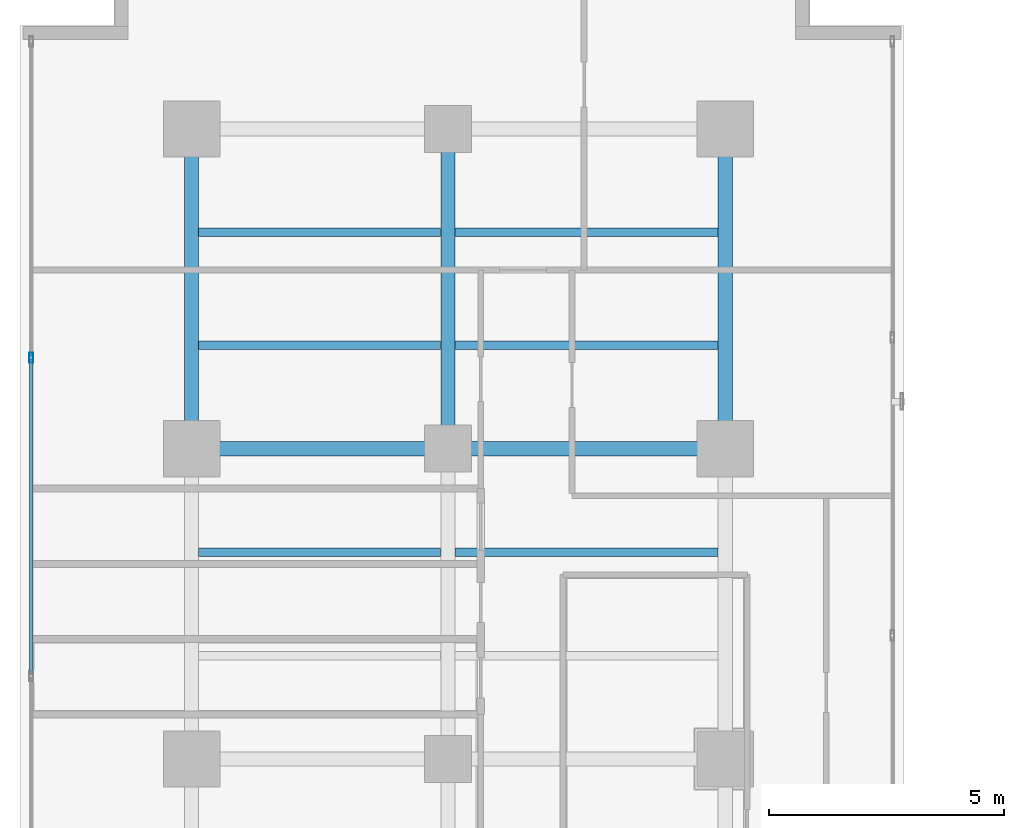
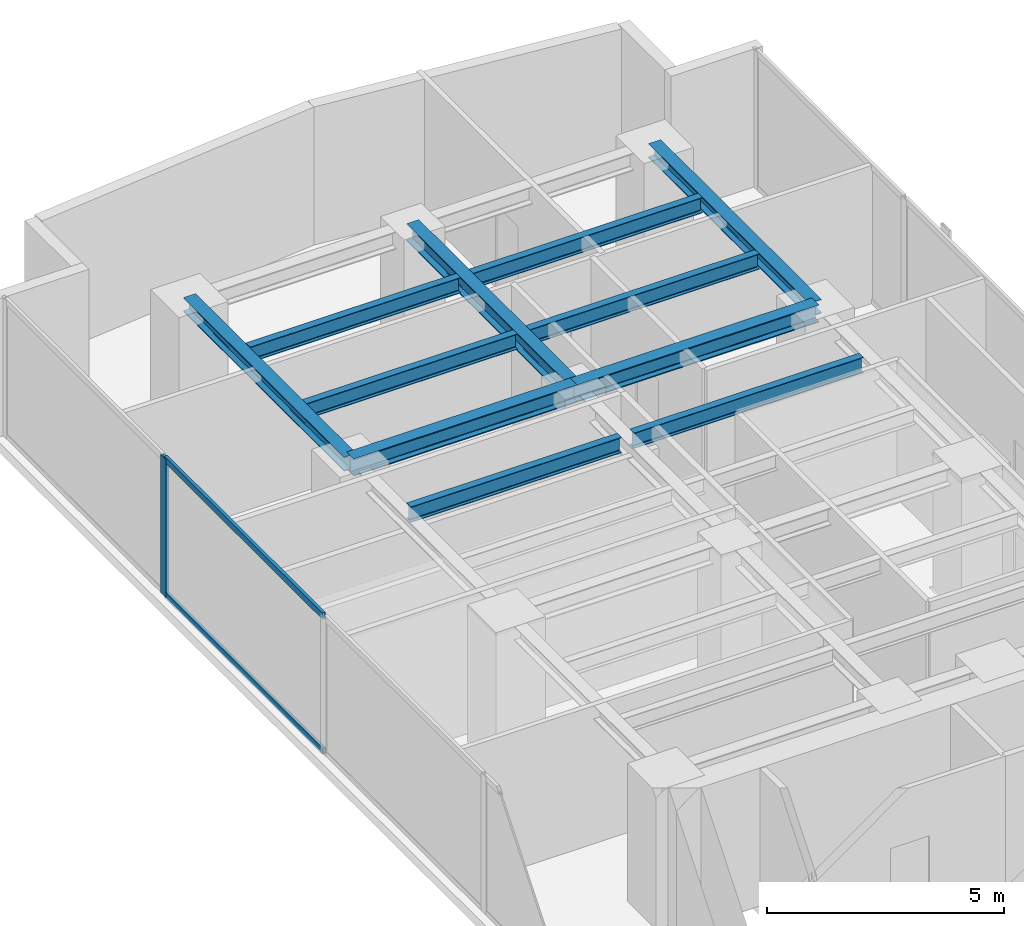
# One storey, part 15 of 24: 11 beams, 3 members, 1 element without a shape of its own.
"""IFC4 building model written with IfcOpenShell, lengths in metres."""

from ifc_helpers import new_model, si_unit, direction, frame, origin, origin_with_axes, origin_2d, place, context, subcontext, project, spatial, hollow_rectangle, i_section, extrude, source, transform, mapped, material, layer, layer_set, material_profile, profile_set, type_object, element, aggregate, save


model = new_model("IFC4")

# Units and contexts
model_context = context("Model", 3, precision=1e-05, world=origin(), true_north=direction((0.0, 1.0)))
body_context = subcontext(model_context, "Body", "Model", "MODEL_VIEW")
ifc_project = project(units=[si_unit("LENGTHUNIT", "METRE"), si_unit("AREAUNIT", "SQUARE_METRE"), si_unit("VOLUMEUNIT", "CUBIC_METRE"), si_unit("PLANEANGLEUNIT", "RADIAN"), si_unit("MASSUNIT", "GRAM", prefix="KILO")], contexts=[model_context])

# Site, building, storey
site_placement = place(None, origin())
site = spatial("IfcSite", under=ifc_project, at=site_placement, CompositionType="ELEMENT")
building_placement = place(site_placement, origin())
building = spatial("IfcBuilding", under=site, at=building_placement, Name="Kolvaren Waterfront Exchange", CompositionType="ELEMENT")
storey_placement = place(building_placement, frame((0.0, 0.0, 153.800048828125)))
storey = spatial("IfcBuildingStorey", under=building, at=storey_placement, Name="L39", CompositionType="ELEMENT", Elevation=153.800048828125)

# Beams
ifc_material_1 = material(Name="Steel S355", Category="steel")
ifc_material_profile_1 = material_profile(ifc_material_1, i_section(OverallWidth=0.300048828125, OverallDepth=0.360107421875, WebThickness=0.012451171875, FlangeThickness=0.0224609375, FilletRadius=0.027099609375, at=origin_2d()), Name="HEB360")
ifc_profile_set_1 = profile_set([ifc_material_profile_1], Name="Steel S355")
beam_type_1 = type_object("IfcBeamType", Name="STR-BM-HEB360", PredefinedType="SPANDREL", material=ifc_profile_set_1)
for number, where, z_axis, x_axis, name in (
    (1, (7.449951171875, 37.800048828125, 3.3798828125), (0.0, 1.0, 0.0), (-1.0, 0.0, 0.0), "L39 north-arm edge beam 3"),
    (2, (18.800048828125, 37.800048828125, 3.3798828125), (0.0, 1.0, 0.0), (-1.0, 0.0, 0.0), "L39 north-arm edge beam 3"),
):
    element("IfcBeam", number, at=place(storey_placement, frame(where, z_axis=z_axis, x_axis=x_axis)), inside=storey, type_object=beam_type_1, Name=name, PredefinedType="SPANDREL", context=body_context, shape_type="SweptSolid", body=[
        extrude(i_section(OverallWidth=0.300048828125, OverallDepth=0.360107421875, WebThickness=0.012451171875, FlangeThickness=0.0224609375, FilletRadius=0.027099609375, at=origin_2d()), origin(), (0.0, 0.0, 1.0), 6.800048828125),
    ])
ifc_material_profile_2 = material_profile(ifc_material_1, i_section(OverallWidth=0.300048828125, OverallDepth=0.449951171875, WebThickness=0.013916015625, FlangeThickness=0.02587890625, FilletRadius=0.027099609375, at=origin_2d()), Name="HEB450")
ifc_profile_set_2 = profile_set([ifc_material_profile_2], Name="Steel S355")
beam_type_2 = type_object("IfcBeamType", Name="STR-BM-HEB450", PredefinedType="BEAM", material=ifc_profile_set_2)
beam_1_placement = place(storey_placement, frame((7.449951171875, 37.800048828125, 3.3349609375), z_axis=(1.0, 0.0, 0.0), x_axis=(0.0, 1.0, 0.0)))
element("IfcBeam", 3, at=beam_1_placement, inside=storey, type_object=beam_type_2, Name="L39 north-arm girder 3A", PredefinedType="BEAM", context=body_context, shape_type="SweptSolid", body=[
    extrude(i_section(OverallWidth=0.300048828125, OverallDepth=0.449951171875, WebThickness=0.013916015625, FlangeThickness=0.02587890625, FilletRadius=0.027099609375, at=origin_2d()), origin(), (0.0, 0.0, 1.0), 5.449951171875),
])
beam_2_placement = place(storey_placement, frame((12.89990234375, 37.800048828125, 3.3349609375), z_axis=(1.0, 0.0, 0.0), x_axis=(0.0, 1.0, 0.0)))
element("IfcBeam", 4, at=beam_2_placement, inside=storey, type_object=beam_type_2, Name="L39 north-arm girder 3B", PredefinedType="BEAM", context=body_context, shape_type="SweptSolid", body=[
    extrude(i_section(OverallWidth=0.300048828125, OverallDepth=0.449951171875, WebThickness=0.013916015625, FlangeThickness=0.02587890625, FilletRadius=0.027099609375, at=origin_2d()), origin(), (0.0, 0.0, 1.0), 5.900146484375),
])
beam_3_placement = place(storey_placement, frame((12.89990234375, 37.800048828125, 3.3349609375), z_axis=(0.0, 1.0, 0.0), x_axis=(-1.0, 0.0, 0.0)))
element("IfcBeam", 5, at=beam_3_placement, inside=storey, type_object=beam_type_2, Name="L39 north-arm edge beam 3", PredefinedType="BEAM", context=body_context, shape_type="SweptSolid", body=[
    extrude(i_section(OverallWidth=0.300048828125, OverallDepth=0.449951171875, WebThickness=0.013916015625, FlangeThickness=0.02587890625, FilletRadius=0.027099609375, at=origin_2d()), origin(), (0.0, 0.0, 1.0), 6.800048828125),
])
ifc_material_profile_3 = material_profile(ifc_material_1, i_section(OverallWidth=0.179931640625, OverallDepth=0.39990234375, WebThickness=0.008544921875, FlangeThickness=0.013427734375, FilletRadius=0.02099609375, at=origin_2d()), Name="IPE400")
ifc_profile_set_3 = profile_set([ifc_material_profile_3], Name="Steel S355")
beam_type_3 = type_object("IfcBeamType", Name="STR-BM-IPE400", PredefinedType="JOIST", material=ifc_profile_set_3)
beam_4_placement = place(storey_placement, frame((7.60205078125, 35.60009765625, 3.35986328125), z_axis=(1.0, 0.0, 0.0), x_axis=(0.0, 1.0, 0.0)))
element("IfcBeam", 6, at=beam_4_placement, inside=storey, type_object=beam_type_3, Name="L39 north-arm composite joist 4A", PredefinedType="JOIST", context=body_context, shape_type="SweptSolid", body=[
    extrude(i_section(OverallWidth=0.179931640625, OverallDepth=0.39990234375, WebThickness=0.008544921875, FlangeThickness=0.013427734375, FilletRadius=0.02099609375, at=origin_2d()), origin(), (0.0, 0.0, 1.0), 5.14599609375),
])
beam_5_placement = place(storey_placement, frame((13.052001953125, 35.60009765625, 3.35986328125), z_axis=(1.0, 0.0, 0.0), x_axis=(0.0, 1.0, 0.0)))
element("IfcBeam", 7, at=beam_5_placement, inside=storey, type_object=beam_type_3, Name="L39 north-arm composite joist 4B", PredefinedType="JOIST", context=body_context, shape_type="SweptSolid", body=[
    extrude(i_section(OverallWidth=0.179931640625, OverallDepth=0.39990234375, WebThickness=0.008544921875, FlangeThickness=0.013427734375, FilletRadius=0.02099609375, at=origin_2d()), origin(), (0.0, 0.0, 1.0), 5.595947265625),
])
beam_6_placement = place(storey_placement, frame((7.60205078125, 40.0, 3.35986328125), z_axis=(1.0, 0.0, 0.0), x_axis=(0.0, 1.0, 0.0)))
element("IfcBeam", 8, at=beam_6_placement, inside=storey, type_object=beam_type_3, Name="L39 north-arm composite joist 5A", PredefinedType="JOIST", context=body_context, shape_type="SweptSolid", body=[
    extrude(i_section(OverallWidth=0.179931640625, OverallDepth=0.39990234375, WebThickness=0.008544921875, FlangeThickness=0.013427734375, FilletRadius=0.02099609375, at=origin_2d()), origin(), (0.0, 0.0, 1.0), 5.14599609375),
])
beam_7_placement = place(storey_placement, frame((13.052001953125, 40.0, 3.35986328125), z_axis=(1.0, 0.0, 0.0), x_axis=(0.0, 1.0, 0.0)))
element("IfcBeam", 9, at=beam_7_placement, inside=storey, type_object=beam_type_3, Name="L39 north-arm composite joist 5B", PredefinedType="JOIST", context=body_context, shape_type="SweptSolid", body=[
    extrude(i_section(OverallWidth=0.179931640625, OverallDepth=0.39990234375, WebThickness=0.008544921875, FlangeThickness=0.013427734375, FilletRadius=0.02099609375, at=origin_2d()), origin(), (0.0, 0.0, 1.0), 5.595947265625),
])
beam_8_placement = place(storey_placement, frame((7.60205078125, 42.39990234375, 3.35986328125), z_axis=(1.0, 0.0, 0.0), x_axis=(0.0, 1.0, 0.0)))
element("IfcBeam", 10, at=beam_8_placement, inside=storey, type_object=beam_type_3, Name="L39 north-arm composite joist 6A", PredefinedType="JOIST", context=body_context, shape_type="SweptSolid", body=[
    extrude(i_section(OverallWidth=0.179931640625, OverallDepth=0.39990234375, WebThickness=0.008544921875, FlangeThickness=0.013427734375, FilletRadius=0.02099609375, at=origin_2d()), origin(), (0.0, 0.0, 1.0), 5.14599609375),
])
beam_9_placement = place(storey_placement, frame((13.052001953125, 42.39990234375, 3.35986328125), z_axis=(1.0, 0.0, 0.0), x_axis=(0.0, 1.0, 0.0)))
element("IfcBeam", 11, at=beam_9_placement, inside=storey, type_object=beam_type_3, Name="L39 north-arm composite joist 6B", PredefinedType="JOIST", context=body_context, shape_type="SweptSolid", body=[
    extrude(i_section(OverallWidth=0.179931640625, OverallDepth=0.39990234375, WebThickness=0.008544921875, FlangeThickness=0.013427734375, FilletRadius=0.02099609375, at=origin_2d()), origin(), (0.0, 0.0, 1.0), 5.595947265625),
])

# Curtain wall, members
ifc_material_2 = material(Name="Anodised aluminium 6063-T6", Category="aluminium")
ifc_layer = layer(ifc_material_2, 0.219970703125, Name="Anodised aluminium 6063-T6")
ifc_layer_set = layer_set([ifc_layer], Name="Anodised aluminium 6063-T6")
curtain_wall_type = type_object("IfcCurtainWallType", Name="ARC-CW-SYS2", PredefinedType="USERDEFINED", material=ifc_layer_set)
curtain_wall_placement = place(storey_placement, origin())
curtain_wall = element("IfcCurtainWall", 12, at=curtain_wall_placement, inside=storey, type_object=curtain_wall_type, Name="L39 stick curtain wall CW2 (CW-L39-W)", ObjectType="STICK CURTAIN WALL", PredefinedType="USERDEFINED")
ifc_material_profile_4 = material_profile(ifc_material_2, hollow_rectangle(XDim=0.080078125, YDim=0.219970703125, WallThickness=0.0048828125, at=origin_2d()), Name="ALU-MUL-220x80x5")
ifc_profile_set_4 = profile_set([ifc_material_profile_4], Name="Anodised aluminium 6063-T6")
member_type_1 = type_object("IfcMemberType", Name="ARC-CWM-220", PredefinedType="MULLION", material=ifc_profile_set_4)
shared_shape_1 = source(origin_with_axes(), body_context, "Body", "SweptSolid", [
    extrude(hollow_rectangle(XDim=0.080078125, YDim=0.219970703125, WallThickness=0.0048828125, at=origin_2d()), origin(), (0.0, 0.0, 1.0), 3.56005859375),
])
member_1_placement = place(storey_placement, frame((4.0400390625, 39.7333984375, 0.0), z_axis=(0.0, 0.0, 1.0), x_axis=(-1.0, 0.0, 0.0)))
member_1 = element("IfcMember", 13, at=member_1_placement, type_object=member_type_1, Name="CW2 mullion 6", PredefinedType="MULLION", context=body_context, shape_type="MappedRepresentation", body=[
    mapped(shared_shape_1, transform((0.0, 0.0, 0.0), x_axis=(1.0, 0.0, 0.0), y_axis=(0.0, 1.0, 0.0), z_axis=(0.0, 0.0, 1.0), scale=1.0)),
])
ifc_material_profile_5 = material_profile(ifc_material_2, hollow_rectangle(XDim=0.074951171875, YDim=0.159912109375, WallThickness=0.00439453125, at=origin_2d()), Name="ALU-TRN-160x75x4.5")
ifc_profile_set_5 = profile_set([ifc_material_profile_5], Name="Anodised aluminium 6063-T6")
member_type_2 = type_object("IfcMemberType", Name="ARC-CWT-160", PredefinedType="USERDEFINED", material=ifc_profile_set_5)
shared_shape_2 = source(origin_with_axes(), body_context, "Body", "SweptSolid", [
    extrude(hollow_rectangle(XDim=0.074951171875, YDim=0.159912109375, WallThickness=0.00439453125, at=origin_2d()), origin(), (0.0, 0.0, 1.0), 6.686767578125),
])
member_2_placement = place(storey_placement, frame((4.0400390625, 33.006591796875, 0.037353515625), z_axis=(0.0, 1.0, 0.0), x_axis=(-1.0, 0.0, 0.0)))
member_2 = element("IfcMember", 14, at=member_2_placement, type_object=member_type_2, Name="CW2 transom 5.1", ObjectType="TRANSOM", PredefinedType="USERDEFINED", context=body_context, shape_type="MappedRepresentation", body=[
    mapped(shared_shape_2, transform((0.0, 0.0, 0.0), x_axis=(1.0, 0.0, 0.0), y_axis=(0.0, 1.0, 0.0), z_axis=(0.0, 0.0, 1.0), scale=1.0)),
])
member_3_placement = place(storey_placement, frame((4.0400390625, 33.006591796875, 3.5224609375), z_axis=(0.0, 1.0, 0.0), x_axis=(-1.0, 0.0, 0.0)))
member_3 = element("IfcMember", 15, at=member_3_placement, type_object=member_type_2, Name="CW2 transom 5.2", ObjectType="TRANSOM", PredefinedType="USERDEFINED", context=body_context, shape_type="MappedRepresentation", body=[
    mapped(shared_shape_2, transform((0.0, 0.0, 0.0), x_axis=(1.0, 0.0, 0.0), y_axis=(0.0, 1.0, 0.0), z_axis=(0.0, 0.0, 1.0), scale=1.0)),
])
aggregate(curtain_wall, [member_1, member_2, member_3])

save(model, "model.ifc")
